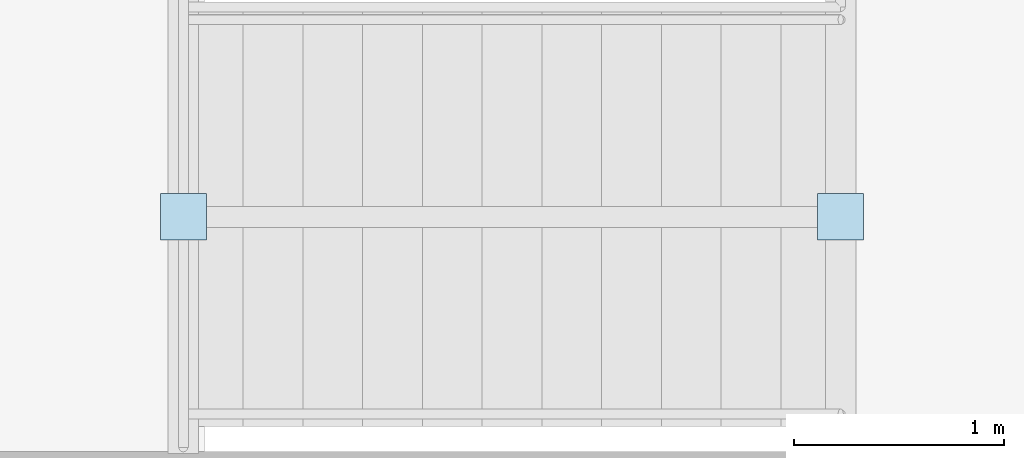
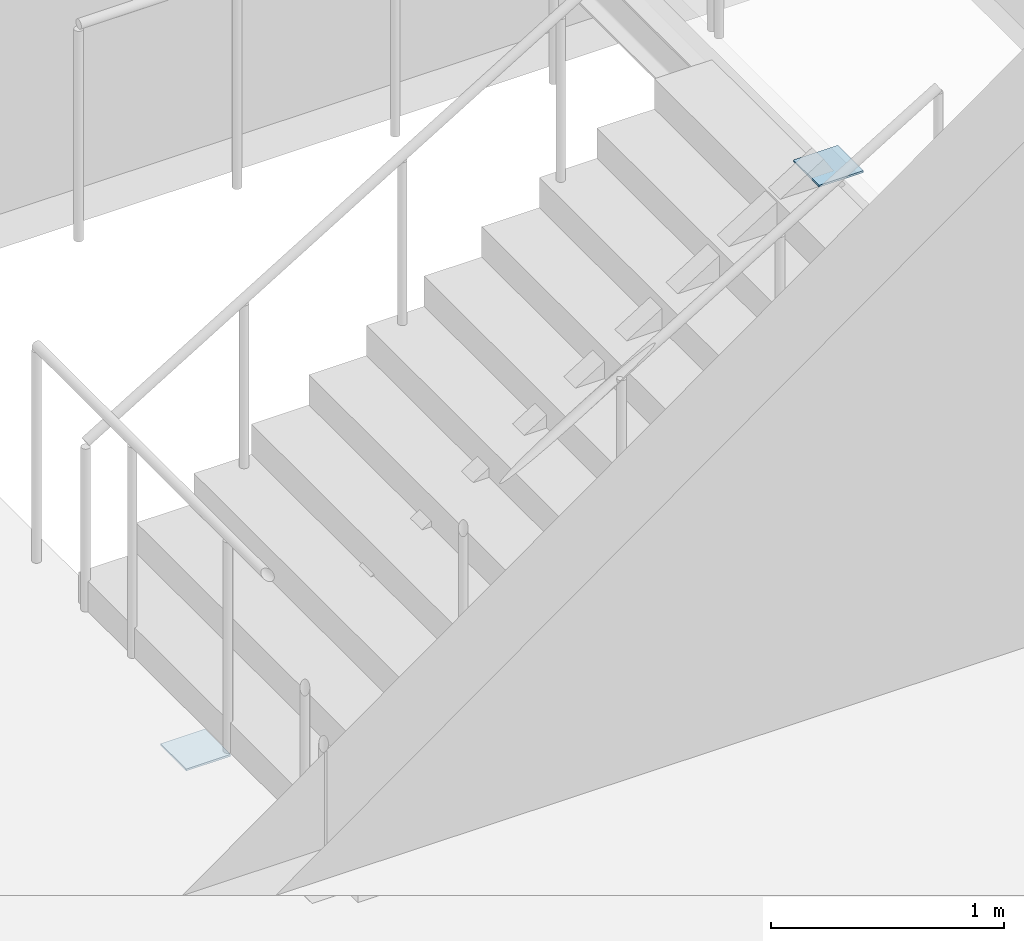
# One storey, part 66 of 81: 2 plates.
"""IFC4 building model written with IfcOpenShell, lengths in metres."""

from ifc_helpers import new_model, si_unit, direction, frame, origin, origin_2d, place, context, subcontext, project, spatial, rectangle, extrude, material, layer, layer_set, type_object, element, save


model = new_model("IFC4")

# Units and contexts
model_context = context("Model", 3, precision=1e-05, world=origin(), true_north=direction((0.0, 1.0)))
body_context = subcontext(model_context, "Body", "Model", "MODEL_VIEW")
ifc_project = project(units=[si_unit("LENGTHUNIT", "METRE"), si_unit("AREAUNIT", "SQUARE_METRE"), si_unit("VOLUMEUNIT", "CUBIC_METRE"), si_unit("PLANEANGLEUNIT", "RADIAN"), si_unit("MASSUNIT", "GRAM", prefix="KILO")], contexts=[model_context])

# Site, building, storey
site_placement = place(None, origin())
site = spatial("IfcSite", under=ifc_project, at=site_placement, CompositionType="ELEMENT")
building_placement = place(site_placement, origin())
building = spatial("IfcBuilding", under=site, at=building_placement, Name="Marnridge Secondary College", CompositionType="ELEMENT")
storey_placement = place(building_placement, frame((0.0, 0.0, 8.5)))
storey = spatial("IfcBuildingStorey", under=building, at=storey_placement, Name="L02", CompositionType="ELEMENT", Elevation=8.5)

# Plates
ifc_material = material(Name="Structural steel plate Grade 350 (AS/NZS 3678, fy = 350 MPa <=12mm, 340 MPa 12-20mm, 330 MPa 20-50mm)", Category="steel")
ifc_layer = layer(ifc_material, 0.010009765625)
ifc_layer_set = layer_set([ifc_layer], Name="PT-CAP-INT")
plate_type = type_object("IfcPlateType", Name="PT-CAP-INT", PredefinedType="SHEET", material=ifc_layer_set)
for number, where, z_axis, x_axis, name in (
    (1, (83.45166015625, 62.469970703125, -0.171875), (0.0, 0.0, 1.0), (1.0, 0.0, 0.0), "Tube end cap STR-015-EC1"),
    (2, (86.583251953125, 62.469970703125, 1.7861328125), (0.0, 0.0, 1.0), (1.0, 0.0, 0.0), "Tube end cap STR-015-EC2"),
):
    element("IfcPlate", number, at=place(storey_placement, frame(where, z_axis=z_axis, x_axis=x_axis)), inside=storey, type_object=plate_type, Name=name, PredefinedType="SHEET", context=body_context, shape_type="SweptSolid", body=[
        extrude(rectangle(XDim=0.219970703125, YDim=0.219970703125, at=origin_2d()), origin(), (0.0, 0.0, 1.0), 0.010009765625),
    ])

save(model, "model.ifc")
